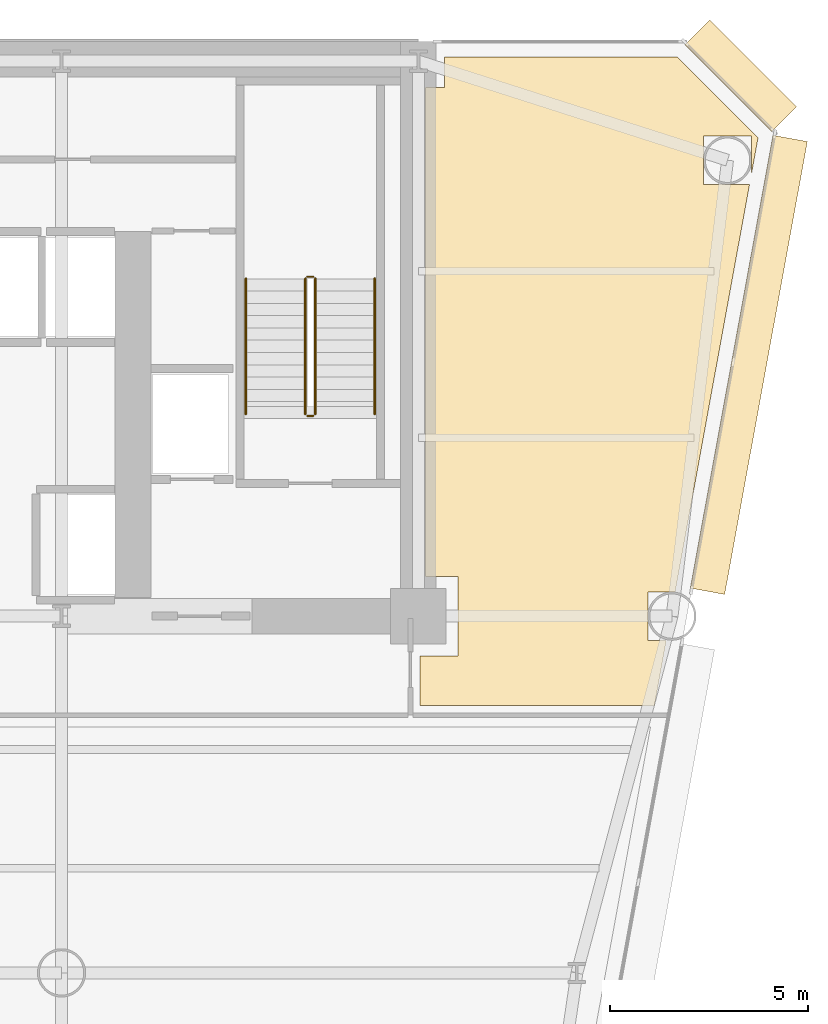
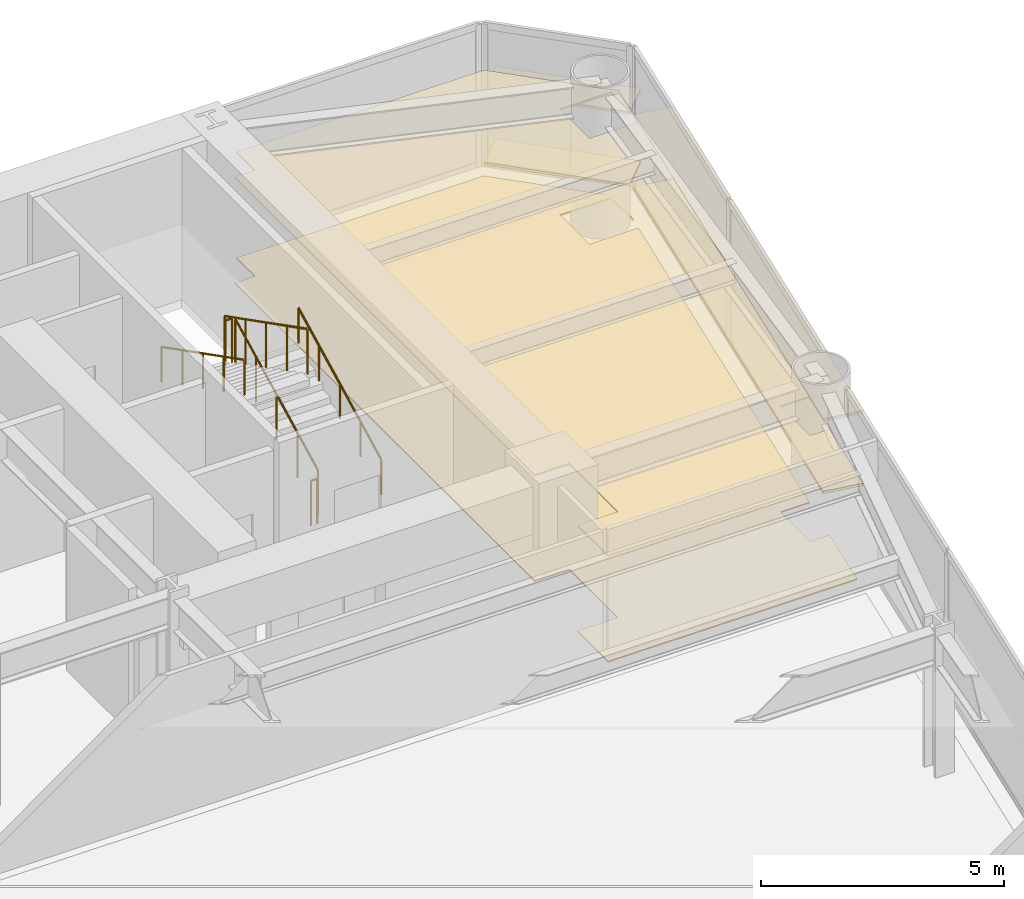
# One storey, part 14 of 14: 6 coverings, 6 railings.
"""IFC4 building model written with IfcOpenShell, lengths in metres."""

from ifc_helpers import new_model, si_unit, direction, frame, origin, origin_2d, place, context, subcontext, project, spatial, polyline, rectangle, circle, outline, extrude, source, transform, mapped, material, layer, layer_set, type_object, element, save


model = new_model("IFC4")

# Units and contexts
model_context = context("Model", 3, precision=1e-05, world=origin(), true_north=direction((0.0, 1.0)))
body_context = subcontext(model_context, "Body", "Model", "MODEL_VIEW")
ifc_project = project(units=[si_unit("LENGTHUNIT", "METRE"), si_unit("AREAUNIT", "SQUARE_METRE"), si_unit("VOLUMEUNIT", "CUBIC_METRE"), si_unit("PLANEANGLEUNIT", "RADIAN"), si_unit("MASSUNIT", "GRAM", prefix="KILO")], contexts=[model_context])

# Site, building, storey
site_placement = place(None, origin())
site = spatial("IfcSite", under=ifc_project, at=site_placement, CompositionType="ELEMENT")
building_placement = place(site_placement, origin())
building = spatial("IfcBuilding", under=site, at=building_placement, Name="Vaeldorn Concourse Tower", CompositionType="ELEMENT")
storey_placement = place(building_placement, frame((0.0, 0.0, 68.199951171875)))
storey = spatial("IfcBuildingStorey", under=building, at=storey_placement, Name="L17", CompositionType="ELEMENT", Elevation=68.199951171875)

# Coverings
ifc_material_1 = material(Name="Acoustic Mineral Fibre Board", Category="gypsum")
ifc_layer_1 = layer(ifc_material_1, 0.0400390625)
ifc_layer_set_1 = layer_set([ifc_layer_1], Name="Acoustic Mineral Fibre Board")
covering_type_1 = type_object("IfcCoveringType", Name="COV-CEIL-ACOUSTIC", PredefinedType="CEILING", material=ifc_layer_set_1)
covering_1_placement = place(storey_placement, frame((0.0, 0.0, 2.650146484375)))
element("IfcCovering", 1, at=covering_1_placement, inside=storey, type_object=covering_type_1, Name="Suspended Acoustic Ceiling L17-4", PredefinedType="CEILING", context=body_context, shape_type="SweptSolid", body=[
    extrude(outline(polyline([(54.179931640625, 49.840087890625), (54.659912109375, 49.840087890625), (54.659912109375, 50.60009765625), (60.5341796875, 50.60009765625), (62.56884765625, 48.5654296875), (62.409423828125, 47.6923828125), (62.409423828125, 48.609619140625), (61.1904296875, 48.609619140625), (61.1904296875, 47.390380859375), (62.3544921875, 47.390380859375), (60.51611328125, 37.320068359375), (60.51611328125, 37.320068359375), (60.477783203125, 37.109619140625), (59.79052734375, 37.109619140625), (59.79052734375, 35.890380859375), (60.255126953125, 35.890380859375), (59.9541015625, 34.239990234375), (54.0400390625, 34.239990234375), (54.0400390625, 35.5), (55.0, 35.5), (55.0, 37.5), (54.179931640625, 37.5), (54.179931640625, 49.840087890625)])), origin(), (0.0, 0.0, 1.0), 0.039794921875),
])
ifc_material_2 = material(Name="Honed Limestone Terrazzo Flooring", Category="masonry")
ifc_layer_2 = layer(ifc_material_2, 0.0400390625)
ifc_layer_set_2 = layer_set([ifc_layer_2], Name="Honed Limestone Terrazzo Flooring")
covering_type_2 = type_object("IfcCoveringType", Name="COV-FLOOR-STONE", PredefinedType="FLOORING", material=ifc_layer_set_2)
covering_2_placement = place(storey_placement, origin())
element("IfcCovering", 2, at=covering_2_placement, inside=storey, type_object=covering_type_2, Name="Floor Finish Covering L17-4", PredefinedType="FLOORING", context=body_context, shape_type="SweptSolid", body=[
    extrude(outline(polyline([(54.179931640625, 49.840087890625), (54.659912109375, 49.840087890625), (54.659912109375, 50.60009765625), (60.5341796875, 50.60009765625), (62.56884765625, 48.5654296875), (62.409423828125, 47.6923828125), (62.409423828125, 48.609619140625), (61.1904296875, 48.609619140625), (61.1904296875, 47.390380859375), (62.3544921875, 47.390380859375), (60.51611328125, 37.320068359375), (60.51611328125, 37.320068359375), (60.477783203125, 37.109619140625), (59.79052734375, 37.109619140625), (59.79052734375, 35.890380859375), (60.255126953125, 35.890380859375), (59.9541015625, 34.239990234375), (54.0400390625, 34.239990234375), (54.0400390625, 35.5), (55.0, 35.5), (55.0, 37.5), (54.179931640625, 37.5), (54.179931640625, 49.840087890625)])), origin(), (0.0, 0.0, 1.0), 0.030029296875),
])

# Railings
ifc_material_3 = material(Name="Anodised Bronze Aluminium", Category="aluminium")
railing_type_1 = type_object("IfcRailingType", Name="RL-STAIR-GUARD", PredefinedType="GUARDRAIL", material=ifc_material_3)
railing_1_placement = place(storey_placement, frame((51.39990234375, 41.60009765625, 0.158447265625)))
element("IfcRailing", 3, at=railing_1_placement, inside=storey, type_object=railing_type_1, Name="L17 ST-2 stair guard 1", PredefinedType="GUARDRAIL", context=body_context, shape_type="SweptSolid", body=[
    extrude(circle(Radius=0.02392578125, at=origin_2d()), frame((0.0, 0.0, 1.1259765625), z_axis=(0.0, 0.890555807335, 0.454873997962), x_axis=(-1.0, 0.0, 0.0)), (0.0, 0.0, 1.0), 3.828857421875),
    extrude(circle(Radius=0.02099609375, at=origin_2d()), origin(), (0.0, 0.0, 1.0), 1.101806640625),
    extrude(circle(Radius=0.02099609375, at=origin_2d()), frame((0.0, 0.8525390625, 0.435546875)), (0.0, 0.0, 1.0), 1.101806640625),
    extrude(circle(Radius=0.02099609375, at=origin_2d()), frame((0.0, 1.705078125, 0.870849609375)), (0.0, 0.0, 1.0), 1.101806640625),
    extrude(circle(Radius=0.02099609375, at=origin_2d()), frame((0.0, 2.557373046875, 1.30615234375)), (0.0, 0.0, 1.0), 1.101806640625),
    extrude(circle(Radius=0.02099609375, at=origin_2d()), frame((0.0, 3.409912109375, 1.74169921875)), (0.0, 0.0, 1.0), 1.101806640625),
])
railing_2_placement = place(storey_placement, frame((51.35009765625, 45.06005859375, 1.900146484375)))
element("IfcRailing", 4, at=railing_2_placement, inside=storey, type_object=railing_type_1, Name="L17 ST-2 stair guard 2", PredefinedType="GUARDRAIL", context=body_context, shape_type="SweptSolid", body=[
    extrude(circle(Radius=0.02392578125, at=origin_2d()), frame((0.0, 0.0, 1.1259765625), z_axis=(-1.0, 0.0, 0.0), x_axis=(0.0, -1.0, 0.0)), (0.0, 0.0, 1.0), 0.150146484375),
    extrude(circle(Radius=0.02099609375, at=origin_2d()), origin(), (0.0, 0.0, 1.0), 1.101806640625),
    extrude(circle(Radius=0.02099609375, at=origin_2d()), frame((-0.150146484375, 0.0, 0.0)), (0.0, 0.0, 1.0), 1.101806640625),
])
railing_3_placement = place(storey_placement, frame((51.14990234375, 45.010009765625, 2.058349609375)))
element("IfcRailing", 5, at=railing_3_placement, inside=storey, type_object=railing_type_1, Name="L17 ST-2 stair guard 3", PredefinedType="GUARDRAIL", context=body_context, shape_type="SweptSolid", body=[
    extrude(circle(Radius=0.02392578125, at=origin_2d()), frame((0.0, 0.0, 1.1259765625), z_axis=(0.0, -0.890555807335, 0.454873997962), x_axis=(1.0, 0.0, 0.0)), (0.0, 0.0, 1.0), 3.828857421875),
    extrude(circle(Radius=0.02099609375, at=origin_2d()), origin(), (0.0, 0.0, 1.0), 1.101806640625),
    extrude(circle(Radius=0.02099609375, at=origin_2d()), frame((0.0, -0.8525390625, 0.435546875)), (0.0, 0.0, 1.0), 1.101806640625),
    extrude(circle(Radius=0.02099609375, at=origin_2d()), frame((0.0, -1.705078125, 0.870849609375)), (0.0, 0.0, 1.0), 1.101806640625),
    extrude(circle(Radius=0.02099609375, at=origin_2d()), frame((0.0, -2.557373046875, 1.30615234375)), (0.0, 0.0, 1.0), 1.101806640625),
    extrude(circle(Radius=0.02099609375, at=origin_2d()), frame((0.0, -3.409912109375, 1.74169921875)), (0.0, 0.0, 1.0), 1.101806640625),
])
railing_4_placement = place(storey_placement, frame((51.35009765625, 41.550048828125, 0.0)))
element("IfcRailing", 6, at=railing_4_placement, inside=storey, type_object=railing_type_1, Name="L17 ST-2 stair guard 4", PredefinedType="GUARDRAIL", context=body_context, shape_type="SweptSolid", body=[
    extrude(circle(Radius=0.02392578125, at=origin_2d()), frame((0.0, 0.0, 1.1259765625), z_axis=(-1.0, 0.0, 0.0), x_axis=(0.0, -1.0, 0.0)), (0.0, 0.0, 1.0), 0.150146484375),
    extrude(circle(Radius=0.02099609375, at=origin_2d()), origin(), (0.0, 0.0, 1.0), 1.101806640625),
    extrude(circle(Radius=0.02099609375, at=origin_2d()), frame((-0.150146484375, 0.0, 0.0)), (0.0, 0.0, 1.0), 1.101806640625),
])
railing_type_2 = type_object("IfcRailingType", Name="RL-STAIR-HANDRAIL", PredefinedType="HANDRAIL", material=ifc_material_3)
railing_5_placement = place(storey_placement, frame((52.89990234375, 41.60009765625, 0.158447265625)))
element("IfcRailing", 7, at=railing_5_placement, inside=storey, type_object=railing_type_2, Name="L17 ST-2 stair handrail 1", PredefinedType="HANDRAIL", context=body_context, shape_type="SweptSolid", body=[
    extrude(circle(Radius=0.02392578125, at=origin_2d()), frame((0.0, 0.0, 0.8759765625), z_axis=(0.0, 0.890555807335, 0.454873997962), x_axis=(-1.0, 0.0, 0.0)), (0.0, 0.0, 1.0), 3.828857421875),
    extrude(circle(Radius=0.02099609375, at=origin_2d()), origin(), (0.0, 0.0, 1.0), 0.851806640625),
    extrude(circle(Radius=0.02099609375, at=origin_2d()), frame((0.0, 0.8525390625, 0.435546875)), (0.0, 0.0, 1.0), 0.851806640625),
    extrude(circle(Radius=0.02099609375, at=origin_2d()), frame((0.0, 1.705078125, 0.870849609375)), (0.0, 0.0, 1.0), 0.851806640625),
    extrude(circle(Radius=0.02099609375, at=origin_2d()), frame((0.0, 2.557373046875, 1.30615234375)), (0.0, 0.0, 1.0), 0.851806640625),
    extrude(circle(Radius=0.02099609375, at=origin_2d()), frame((0.0, 3.409912109375, 1.74169921875)), (0.0, 0.0, 1.0), 0.851806640625),
])
railing_6_placement = place(storey_placement, frame((49.64990234375, 45.010009765625, 2.058349609375)))
element("IfcRailing", 8, at=railing_6_placement, inside=storey, type_object=railing_type_2, Name="L17 ST-2 stair handrail 2", PredefinedType="HANDRAIL", context=body_context, shape_type="SweptSolid", body=[
    extrude(circle(Radius=0.02392578125, at=origin_2d()), frame((0.0, 0.0, 0.8759765625), z_axis=(0.0, -0.890555807335, 0.454873997962), x_axis=(1.0, 0.0, 0.0)), (0.0, 0.0, 1.0), 3.828857421875),
    extrude(circle(Radius=0.02099609375, at=origin_2d()), origin(), (0.0, 0.0, 1.0), 0.851806640625),
    extrude(circle(Radius=0.02099609375, at=origin_2d()), frame((0.0, -0.8525390625, 0.435546875)), (0.0, 0.0, 1.0), 0.851806640625),
    extrude(circle(Radius=0.02099609375, at=origin_2d()), frame((0.0, -1.705078125, 0.870849609375)), (0.0, 0.0, 1.0), 0.851806640625),
    extrude(circle(Radius=0.02099609375, at=origin_2d()), frame((0.0, -2.557373046875, 1.30615234375)), (0.0, 0.0, 1.0), 0.851806640625),
    extrude(circle(Radius=0.02099609375, at=origin_2d()), frame((0.0, -3.409912109375, 1.74169921875)), (0.0, 0.0, 1.0), 0.851806640625),
])

# Coverings
ifc_layer_3 = layer(ifc_material_3, 0.06494140625)
ifc_layer_set_3 = layer_set([ifc_layer_3], Name="Anodised Bronze Aluminium")
covering_type_3 = type_object("IfcCoveringType", Name="SD-BRONZE-SUNSHADE", PredefinedType="USERDEFINED", material=ifc_layer_set_3)
shared_shape_1 = source(origin(), body_context, "Body", "SweptSolid", [
    extrude(rectangle(XDim=3.0927734375, YDim=0.8798828125, at=origin_2d()), origin(), (0.0, 0.0, 1.0), 0.06494140625),
])
for number, where, z_axis, x_axis, name in (
    (9, (62.1328125, 50.1328125, 0.047607421875), (0.0, 0.0, 1.0), (-0.707106781187, 0.707106781187, 0.0), "Horizontal Bronze Sunshade L17-E08.1.1"),
    (10, (62.1328125, 50.1328125, 1.86767578125), (0.0, 0.0, 1.0), (-0.707106781187, 0.707106781187, 0.0), "Horizontal Bronze Sunshade L17-E08.1.2"),
):
    element("IfcCovering", number, at=place(storey_placement, frame(where, z_axis=z_axis, x_axis=x_axis)), inside=storey, type_object=covering_type_3, Name=name, ObjectType="SUNSHADE", PredefinedType="USERDEFINED", context=body_context, shape_type="MappedRepresentation", body=[
        mapped(shared_shape_1, transform((0.0, 0.0, 0.0), scale=1.0)),
    ])
shared_shape_2 = source(origin(), body_context, "Body", "SweptSolid", [
    extrude(rectangle(XDim=11.61181640625, YDim=0.8798828125, at=origin_2d()), origin(), (0.0, 0.0, 1.0), 0.06494140625),
])
for number, where, z_axis, x_axis, name in (
    (11, (62.336669921875, 42.837890625, 0.047607421875), (0.0, 0.0, 1.0), (0.179557731787, 0.983747437585, 0.0), "Horizontal Bronze Sunshade L17-E07.2.1"),
    (12, (62.336669921875, 42.837890625, 1.86767578125), (0.0, 0.0, 1.0), (0.179557731787, 0.983747437585, 0.0), "Horizontal Bronze Sunshade L17-E07.2.2"),
):
    element("IfcCovering", number, at=place(storey_placement, frame(where, z_axis=z_axis, x_axis=x_axis)), inside=storey, type_object=covering_type_3, Name=name, ObjectType="SUNSHADE", PredefinedType="USERDEFINED", context=body_context, shape_type="MappedRepresentation", body=[
        mapped(shared_shape_2, transform((0.0, 0.0, 0.0), scale=1.0)),
    ])

save(model, "model.ifc")
